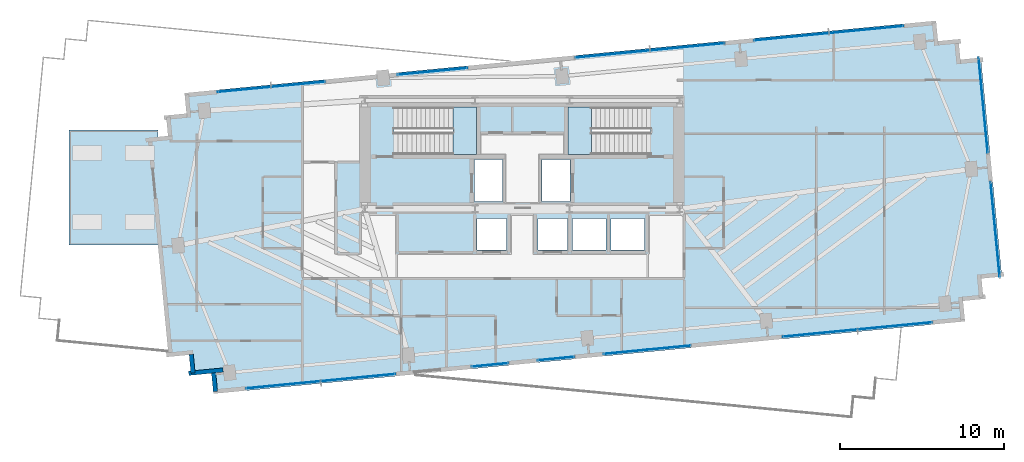
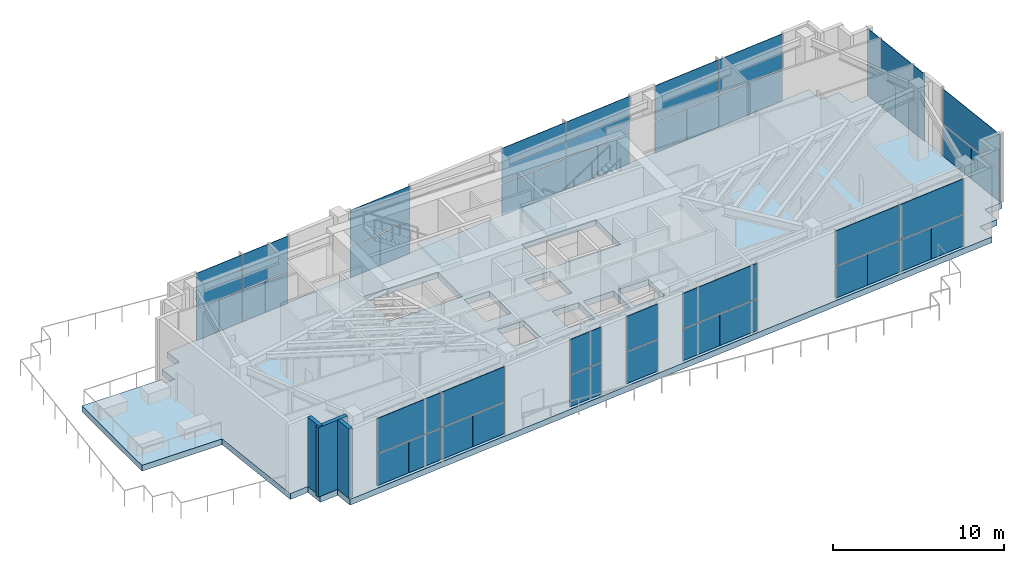
# One storey, part 13 of 21: 46 plates, 3 slabs, 3 walls, 13 elements without a shape of their own.
"""IFC4 building model written with IfcOpenShell, lengths in metres."""

from ifc_helpers import new_model, si_unit, direction, frame, frame_2d, origin, origin_2d, place, context, subcontext, project, spatial, polyline, rectangle, outline, extrude, source, transform, mapped, material, layer, layer_set, type_object, type_shapes, element, aggregate, save


model = new_model("IFC4")

# Units and contexts
model_context = context("Model", 3, precision=1e-05, world=origin(), true_north=direction((0.0, 1.0)))
body_context = subcontext(model_context, "Body", "Model", "MODEL_VIEW")
ifc_project = project(units=[si_unit("LENGTHUNIT", "METRE"), si_unit("AREAUNIT", "SQUARE_METRE"), si_unit("VOLUMEUNIT", "CUBIC_METRE"), si_unit("PLANEANGLEUNIT", "RADIAN"), si_unit("MASSUNIT", "GRAM", prefix="KILO")], contexts=[model_context])

# Site, building, storey
site_placement = place(None, origin())
site = spatial("IfcSite", under=ifc_project, at=site_placement, CompositionType="ELEMENT")
building_placement = place(site_placement, origin())
building = spatial("IfcBuilding", under=site, at=building_placement, Name="Astriad Promenade Condominiums", CompositionType="ELEMENT")
storey_placement = place(building_placement, frame((0.0, 0.0, 167.800048828125)))
storey = spatial("IfcBuildingStorey", under=building, at=storey_placement, Name="L48", CompositionType="ELEMENT", Elevation=167.800048828125)

# Slab
ifc_material_1 = material(Name="Concrete C60/75", Category="concrete")
ifc_layer_1 = layer(ifc_material_1, 0.419921875)
ifc_layer_set_1 = layer_set([ifc_layer_1], Name="Concrete C60/75")
slab_type_1 = type_object("IfcSlabType", Name="CONCRETE TRANSFER FLOOR SLAB 420", PredefinedType="FLOOR", material=ifc_layer_set_1)
slab_1_placement = place(storey_placement, frame((0.0, 0.0, -0.420166015625)))
element("IfcSlab", 1, at=slab_1_placement, inside=storey, type_object=slab_type_1, Name="Structural Floor Slab (L48)", PredefinedType="FLOOR", context=body_context, shape_type="SweptSolid", body=[
    extrude(outline(polyline([(13.800048828125, 21.785400390625), (13.800048828125, 22.199951171875), (8.39990234375, 22.199951171875), (8.39990234375, 15.199951171875), (13.800048828125, 15.199951171875), (13.800048828125, 15.236572265625), (14.459716796875, 8.38671875), (15.703857421875, 8.506591796875), (15.823486328125, 7.26220703125), (17.06787109375, 7.382080078125), (17.187744140625, 6.137939453125), (62.975830078125, 10.546875), (62.856201171875, 11.791015625), (64.100341796875, 11.910888671875), (63.98046875, 13.155029296875), (65.224853515625, 13.27490234375), (63.9404296875, 26.61328125), (62.6962890625, 26.493408203125), (62.576416015625, 27.73779296875), (61.33203125, 27.617919921875), (61.21240234375, 28.862060546875), (15.424072265625, 24.453125), (15.5439453125, 23.208984375), (14.2998046875, 23.089111328125), (14.41943359375, 21.844970703125), (13.800048828125, 21.785400390625)]), holes=[polyline([(28.175048828125, 20.699951171875), (33.175048828125, 20.699951171875), (33.175048828125, 23.60009765625), (28.175048828125, 23.60009765625), (28.175048828125, 20.699951171875)]), polyline([(38.824951171875, 20.699951171875), (43.824951171875, 20.699951171875), (43.824951171875, 23.60009765625), (38.824951171875, 23.60009765625), (38.824951171875, 20.699951171875)]), polyline([(33.10009765625, 17.85009765625), (34.800048828125, 17.85009765625), (34.800048828125, 20.39990234375), (33.10009765625, 20.39990234375), (33.10009765625, 17.85009765625)]), polyline([(37.199951171875, 17.85009765625), (38.89990234375, 17.85009765625), (38.89990234375, 20.39990234375), (37.199951171875, 20.39990234375), (37.199951171875, 17.85009765625)]), polyline([(33.25, 14.89990234375), (35.050048828125, 14.89990234375), (35.050048828125, 16.800048828125), (33.25, 16.800048828125), (33.25, 14.89990234375)]), polyline([(36.949951171875, 14.89990234375), (38.75, 14.89990234375), (38.75, 16.800048828125), (36.949951171875, 16.800048828125), (36.949951171875, 14.89990234375)]), polyline([(39.050048828125, 14.89990234375), (41.10009765625, 14.89990234375), (41.10009765625, 16.800048828125), (39.050048828125, 16.800048828125), (39.050048828125, 14.89990234375)]), polyline([(41.39990234375, 14.89990234375), (43.449951171875, 14.89990234375), (43.449951171875, 16.800048828125), (41.39990234375, 16.800048828125), (41.39990234375, 14.89990234375)])]), origin(), (0.0, 0.0, 1.0), 0.420166015625),
])

# Stair, slab
ifc_material_2 = material(Name="Concrete C50/60", Category="concrete")
stair_type = type_object("IfcStairType", Name="STR-CORE-1350", PredefinedType="HALF_TURN_STAIR", material=ifc_material_2)
stair_1_placement = place(storey_placement, origin())
stair_1 = element("IfcStair", 2, at=stair_1_placement, inside=storey, type_object=stair_type, Name="L48 Enclosed Core Exit Stair ST-1", PredefinedType="HALF_TURN_STAIR")
ifc_layer_2 = layer(ifc_material_2, 0.219970703125)
ifc_layer_set_2 = layer_set([ifc_layer_2], Name="Concrete C50/60")
slab_type_2 = type_object("IfcSlabType", Name="SLB-LANDING-220", PredefinedType="LANDING", material=ifc_layer_set_2)
slab_2_placement = place(storey_placement, frame((0.0, 0.0, 2.39990234375)))
slab_2 = element("IfcSlab", 3, at=slab_2_placement, type_object=slab_type_2, Name="ST-1 landing 1", PredefinedType="LANDING", context=body_context, shape_type="SweptSolid", body=[
    extrude(outline(polyline([(31.7900390625, 20.699951171875), (33.199951171875, 20.699951171875), (33.199951171875, 23.60009765625), (31.7900390625, 23.60009765625), (31.7900390625, 20.699951171875)])), origin(), (0.0, 0.0, 1.0), 0.199951171875),
])
aggregate(stair_1, [slab_2])

stair_2_placement = place(storey_placement, origin())
stair_2 = element("IfcStair", 4, at=stair_2_placement, inside=storey, type_object=stair_type, Name="L48 Enclosed Core Exit Stair ST-2", PredefinedType="HALF_TURN_STAIR")
slab_3_placement = place(storey_placement, frame((0.0, 0.0, 2.39990234375)))
slab_3 = element("IfcSlab", 5, at=slab_3_placement, type_object=slab_type_2, Name="ST-2 landing 1", PredefinedType="LANDING", context=body_context, shape_type="SweptSolid", body=[
    extrude(outline(polyline([(40.2099609375, 23.60009765625), (38.800048828125, 23.60009765625), (38.800048828125, 20.699951171875), (40.2099609375, 20.699951171875), (40.2099609375, 23.60009765625)])), origin(), (0.0, 0.0, 1.0), 0.199951171875),
])
aggregate(stair_2, [slab_3])

# Curtain wall, plates
ifc_material_3 = material(Name="Anodised aluminium Black Dark Glass Unitised", Category="aluminium")
curtain_wall_type = type_object("IfcCurtainWallType", Name="CW-B34-DARK", PredefinedType="USERDEFINED", material=ifc_material_3)
curtain_wall_1_placement = place(storey_placement, origin())
curtain_wall_1 = element("IfcCurtainWall", 6, at=curtain_wall_1_placement, inside=storey, type_object=curtain_wall_type, Name="CW-L48-N-1", ObjectType="UNITISED_CURTAIN_WALL", PredefinedType="USERDEFINED")
ifc_material_4 = material(Name="Dark Tinted Low-E Laminated Glass", Category="glass")
ifc_layer_3 = layer(ifc_material_4, 0.035888671875)
ifc_layer_set_3 = layer_set([ifc_layer_3], Name="Dark Tinted Low-E Laminated Glass")
plate_type = type_object("IfcPlateType", Name="PNL-DARK-GLASS-36", PredefinedType="CURTAIN_PANEL", material=ifc_layer_set_3)
shared_shape_1 = source(origin(), body_context, "Body", "SweptSolid", [
    extrude(rectangle(XDim=1.633056640625, YDim=0.035888671875, at=origin_2d()), origin(), (0.0, 0.0, 1.0), 2.22998046875),
])
plate_1_placement = place(storey_placement, frame((18.24609375, 24.59423828125, 0.080078125), z_axis=(0.0, 0.0, 1.0), x_axis=(0.995396198367, 0.09584575252, 0.0)))
plate_1 = element("IfcPlate", 7, at=plate_1_placement, type_object=plate_type, Name="CW-L48-N-1-PNL-00-VL", PredefinedType="CURTAIN_PANEL", context=body_context, shape_type="MappedRepresentation", body=[
    mapped(shared_shape_1, transform((0.0, 0.0, 0.0), scale=1.0)),
])
plate_2_placement = place(storey_placement, frame((19.883544921875, 24.751953125, 0.080078125), z_axis=(0.0, 0.0, 1.0), x_axis=(0.995396198367, 0.09584575252, 0.0)))
plate_2 = element("IfcPlate", 8, at=plate_2_placement, type_object=plate_type, Name="CW-L48-N-1-PNL-00-VR", PredefinedType="CURTAIN_PANEL", context=body_context, shape_type="MappedRepresentation", body=[
    mapped(shared_shape_1, transform((0.0, 0.0, 0.0), scale=1.0)),
])
plate_3_placement = place(storey_placement, frame((21.52099609375, 24.90966796875, 0.080078125), z_axis=(0.0, 0.0, 1.0), x_axis=(0.995396198367, 0.09584575252, 0.0)))
plate_3 = element("IfcPlate", 9, at=plate_3_placement, type_object=plate_type, Name="CW-L48-N-1-PNL-01-VL", PredefinedType="CURTAIN_PANEL", context=body_context, shape_type="MappedRepresentation", body=[
    mapped(shared_shape_1, transform((0.0, 0.0, 0.0), scale=1.0)),
])
plate_4_placement = place(storey_placement, frame((23.158447265625, 25.0673828125, 0.080078125), z_axis=(0.0, 0.0, 1.0), x_axis=(0.995396198367, 0.09584575252, 0.0)))
plate_4 = element("IfcPlate", 10, at=plate_4_placement, type_object=plate_type, Name="CW-L48-N-1-PNL-01-VR", PredefinedType="CURTAIN_PANEL", context=body_context, shape_type="MappedRepresentation", body=[
    mapped(shared_shape_1, transform((0.0, 0.0, 0.0), scale=1.0)),
])
shared_shape_2 = source(origin(), body_context, "Body", "SweptSolid", [
    extrude(rectangle(XDim=3.278076171875, YDim=0.035888671875, at=origin_2d()), origin(), (0.0, 0.0, 1.0), 2.469970703125),
])
plate_5_placement = place(storey_placement, frame((19.064697265625, 24.673095703125, 2.39013671875), z_axis=(0.0, 0.0, 1.0), x_axis=(0.995396198367, 0.09584575252, 0.0)))
plate_5 = element("IfcPlate", 11, at=plate_5_placement, type_object=plate_type, Name="CW-L48-N-1-PNL-00-S", PredefinedType="CURTAIN_PANEL", context=body_context, shape_type="MappedRepresentation", body=[
    mapped(shared_shape_2, transform((0.0, 0.0, 0.0), scale=1.0)),
])
plate_6_placement = place(storey_placement, frame((22.339599609375, 24.988525390625, 2.39013671875), z_axis=(0.0, 0.0, 1.0), x_axis=(0.995396198367, 0.09584575252, 0.0)))
plate_6 = element("IfcPlate", 12, at=plate_6_placement, type_object=plate_type, Name="CW-L48-N-1-PNL-01-S", PredefinedType="CURTAIN_PANEL", context=body_context, shape_type="MappedRepresentation", body=[
    mapped(shared_shape_2, transform((0.0, 0.0, 0.0), scale=1.0)),
])
aggregate(curtain_wall_1, [plate_1, plate_2, plate_5, plate_3, plate_4, plate_6])

curtain_wall_2_placement = place(storey_placement, origin())
curtain_wall_2 = element("IfcCurtainWall", 13, at=curtain_wall_2_placement, inside=storey, type_object=curtain_wall_type, Name="CW-L48-N-2", ObjectType="UNITISED_CURTAIN_WALL", PredefinedType="USERDEFINED")
shared_shape_3 = source(origin(), body_context, "Body", "SweptSolid", [
    extrude(rectangle(XDim=2.123046875, YDim=0.035888671875, at=origin_2d()), origin(), (0.0, 0.0, 1.0), 2.22998046875),
])
plate_7_placement = place(storey_placement, frame((29.479248046875, 25.67578125, 0.080078125), z_axis=(0.0, 0.0, 1.0), x_axis=(0.995394525392, 0.095863125447, 0.0)))
plate_7 = element("IfcPlate", 14, at=plate_7_placement, type_object=plate_type, Name="CW-L48-N-2-PNL-00-VL", PredefinedType="CURTAIN_PANEL", context=body_context, shape_type="MappedRepresentation", body=[
    mapped(shared_shape_3, transform((0.0, 0.0, 0.0), scale=1.0)),
])
plate_8_placement = place(storey_placement, frame((31.604248046875, 25.880615234375, 0.080078125), z_axis=(0.0, 0.0, 1.0), x_axis=(0.995394525392, 0.095863125447, 0.0)))
plate_8 = element("IfcPlate", 15, at=plate_8_placement, type_object=plate_type, Name="CW-L48-N-2-PNL-00-VR", PredefinedType="CURTAIN_PANEL", context=body_context, shape_type="MappedRepresentation", body=[
    mapped(shared_shape_3, transform((0.0, 0.0, 0.0), scale=1.0)),
])
shared_shape_4 = source(origin(), body_context, "Body", "SweptSolid", [
    extrude(rectangle(XDim=4.258056640625, YDim=0.035888671875, at=origin_2d()), origin(), (0.0, 0.0, 1.0), 2.469970703125),
])
plate_9_placement = place(storey_placement, frame((30.541748046875, 25.7783203125, 2.39013671875), z_axis=(0.0, 0.0, 1.0), x_axis=(0.995394525392, 0.095863125447, 0.0)))
plate_9 = element("IfcPlate", 16, at=plate_9_placement, type_object=plate_type, Name="CW-L48-N-2-PNL-00-S", PredefinedType="CURTAIN_PANEL", context=body_context, shape_type="MappedRepresentation", body=[
    mapped(shared_shape_4, transform((0.0, 0.0, 0.0), scale=1.0)),
])
aggregate(curtain_wall_2, [plate_7, plate_8, plate_9])

curtain_wall_3_placement = place(storey_placement, origin())
curtain_wall_3 = element("IfcCurtainWall", 17, at=curtain_wall_3_placement, inside=storey, type_object=curtain_wall_type, Name="CW-L48-N-3", ObjectType="UNITISED_CURTAIN_WALL", PredefinedType="USERDEFINED")
shared_shape_5 = source(origin(), body_context, "Body", "SweptSolid", [
    extrude(rectangle(XDim=2.275390625, YDim=0.035888671875, at=origin_2d()), origin(), (0.0, 0.0, 1.0), 2.22998046875),
])
plate_10_placement = place(storey_placement, frame((40.364990234375, 26.72412109375, 0.080078125), z_axis=(0.0, 0.0, 1.0), x_axis=(0.995396198367, 0.09584575252, 0.0)))
plate_10 = element("IfcPlate", 18, at=plate_10_placement, type_object=plate_type, Name="CW-L48-N-3-PNL-00-VL", PredefinedType="CURTAIN_PANEL", context=body_context, shape_type="MappedRepresentation", body=[
    mapped(shared_shape_5, transform((0.0, 0.0, 0.0), scale=1.0)),
])
plate_11_placement = place(storey_placement, frame((42.64208984375, 26.943359375, 0.080078125), z_axis=(0.0, 0.0, 1.0), x_axis=(0.995396198367, 0.09584575252, 0.0)))
plate_11 = element("IfcPlate", 19, at=plate_11_placement, type_object=plate_type, Name="CW-L48-N-3-PNL-00-VR", PredefinedType="CURTAIN_PANEL", context=body_context, shape_type="MappedRepresentation", body=[
    mapped(shared_shape_5, transform((0.0, 0.0, 0.0), scale=1.0)),
])
plate_12_placement = place(storey_placement, frame((44.9189453125, 27.16259765625, 0.080078125), z_axis=(0.0, 0.0, 1.0), x_axis=(0.995396198367, 0.09584575252, 0.0)))
plate_12 = element("IfcPlate", 20, at=plate_12_placement, type_object=plate_type, Name="CW-L48-N-3-PNL-01-VL", PredefinedType="CURTAIN_PANEL", context=body_context, shape_type="MappedRepresentation", body=[
    mapped(shared_shape_5, transform((0.0, 0.0, 0.0), scale=1.0)),
])
plate_13_placement = place(storey_placement, frame((47.19580078125, 27.3818359375, 0.080078125), z_axis=(0.0, 0.0, 1.0), x_axis=(0.995396198367, 0.09584575252, 0.0)))
plate_13 = element("IfcPlate", 21, at=plate_13_placement, type_object=plate_type, Name="CW-L48-N-3-PNL-01-VR", PredefinedType="CURTAIN_PANEL", context=body_context, shape_type="MappedRepresentation", body=[
    mapped(shared_shape_5, transform((0.0, 0.0, 0.0), scale=1.0)),
])

curtain_wall_4_placement = place(storey_placement, origin())
curtain_wall_4 = element("IfcCurtainWall", 22, at=curtain_wall_4_placement, inside=storey, type_object=curtain_wall_type, Name="CW-L48-N-4", ObjectType="UNITISED_CURTAIN_WALL", PredefinedType="USERDEFINED")
plate_14_placement = place(storey_placement, frame((51.2646484375, 27.773681640625, 0.080078125), z_axis=(0.0, 0.0, 1.0), x_axis=(0.995396198367, 0.09584575252, 0.0)))
plate_14 = element("IfcPlate", 23, at=plate_14_placement, type_object=plate_type, Name="CW-L48-N-4-PNL-00-VL", PredefinedType="CURTAIN_PANEL", context=body_context, shape_type="MappedRepresentation", body=[
    mapped(shared_shape_5, transform((0.0, 0.0, 0.0), scale=1.0)),
])
plate_15_placement = place(storey_placement, frame((53.54150390625, 27.992919921875, 0.080078125), z_axis=(0.0, 0.0, 1.0), x_axis=(0.995396198367, 0.09584575252, 0.0)))
plate_15 = element("IfcPlate", 24, at=plate_15_placement, type_object=plate_type, Name="CW-L48-N-4-PNL-00-VR", PredefinedType="CURTAIN_PANEL", context=body_context, shape_type="MappedRepresentation", body=[
    mapped(shared_shape_5, transform((0.0, 0.0, 0.0), scale=1.0)),
])
plate_16_placement = place(storey_placement, frame((55.818603515625, 28.212158203125, 0.080078125), z_axis=(0.0, 0.0, 1.0), x_axis=(0.995396198367, 0.09584575252, 0.0)))
plate_16 = element("IfcPlate", 25, at=plate_16_placement, type_object=plate_type, Name="CW-L48-N-4-PNL-01-VL", PredefinedType="CURTAIN_PANEL", context=body_context, shape_type="MappedRepresentation", body=[
    mapped(shared_shape_5, transform((0.0, 0.0, 0.0), scale=1.0)),
])
plate_17_placement = place(storey_placement, frame((58.095458984375, 28.431396484375, 0.080078125), z_axis=(0.0, 0.0, 1.0), x_axis=(0.995396198367, 0.09584575252, 0.0)))
plate_17 = element("IfcPlate", 26, at=plate_17_placement, type_object=plate_type, Name="CW-L48-N-4-PNL-01-VR", PredefinedType="CURTAIN_PANEL", context=body_context, shape_type="MappedRepresentation", body=[
    mapped(shared_shape_5, transform((0.0, 0.0, 0.0), scale=1.0)),
])

curtain_wall_5_placement = place(storey_placement, origin())
curtain_wall_5 = element("IfcCurtainWall", 27, at=curtain_wall_5_placement, inside=storey, type_object=curtain_wall_type, Name="CW-L48-S-1", ObjectType="UNITISED_CURTAIN_WALL", PredefinedType="USERDEFINED")
plate_18_placement = place(storey_placement, frame((59.833984375, 10.375, 0.080078125), z_axis=(0.0, 0.0, 1.0), x_axis=(-0.995396198367, -0.09584575252, 0.0)))
plate_18 = element("IfcPlate", 28, at=plate_18_placement, type_object=plate_type, Name="CW-L48-S-1-PNL-00-VL", PredefinedType="CURTAIN_PANEL", context=body_context, shape_type="MappedRepresentation", body=[
    mapped(shared_shape_5, transform((0.0, 0.0, 0.0), scale=1.0)),
])
plate_19_placement = place(storey_placement, frame((57.55712890625, 10.155517578125, 0.080078125), z_axis=(0.0, 0.0, 1.0), x_axis=(-0.995396198367, -0.09584575252, 0.0)))
plate_19 = element("IfcPlate", 29, at=plate_19_placement, type_object=plate_type, Name="CW-L48-S-1-PNL-00-VR", PredefinedType="CURTAIN_PANEL", context=body_context, shape_type="MappedRepresentation", body=[
    mapped(shared_shape_5, transform((0.0, 0.0, 0.0), scale=1.0)),
])
plate_20_placement = place(storey_placement, frame((55.280029296875, 9.936279296875, 0.080078125), z_axis=(0.0, 0.0, 1.0), x_axis=(-0.995396198367, -0.09584575252, 0.0)))
plate_20 = element("IfcPlate", 30, at=plate_20_placement, type_object=plate_type, Name="CW-L48-S-1-PNL-01-VL", PredefinedType="CURTAIN_PANEL", context=body_context, shape_type="MappedRepresentation", body=[
    mapped(shared_shape_5, transform((0.0, 0.0, 0.0), scale=1.0)),
])
plate_21_placement = place(storey_placement, frame((53.003173828125, 9.717041015625, 0.080078125), z_axis=(0.0, 0.0, 1.0), x_axis=(-0.995396198367, -0.09584575252, 0.0)))
plate_21 = element("IfcPlate", 31, at=plate_21_placement, type_object=plate_type, Name="CW-L48-S-1-PNL-01-VR", PredefinedType="CURTAIN_PANEL", context=body_context, shape_type="MappedRepresentation", body=[
    mapped(shared_shape_5, transform((0.0, 0.0, 0.0), scale=1.0)),
])

curtain_wall_6_placement = place(storey_placement, origin())
curtain_wall_6 = element("IfcCurtainWall", 32, at=curtain_wall_6_placement, inside=storey, type_object=curtain_wall_type, Name="CW-L48-S-5", ObjectType="UNITISED_CURTAIN_WALL", PredefinedType="USERDEFINED")
plate_22_placement = place(storey_placement, frame((27.13525390625, 7.226318359375, 0.080078125), z_axis=(0.0, 0.0, 1.0), x_axis=(-0.995396198367, -0.09584575252, 0.0)))
plate_22 = element("IfcPlate", 33, at=plate_22_placement, type_object=plate_type, Name="CW-L48-S-5-PNL-00-VL", PredefinedType="CURTAIN_PANEL", context=body_context, shape_type="MappedRepresentation", body=[
    mapped(shared_shape_5, transform((0.0, 0.0, 0.0), scale=1.0)),
])
plate_23_placement = place(storey_placement, frame((24.8583984375, 7.007080078125, 0.080078125), z_axis=(0.0, 0.0, 1.0), x_axis=(-0.995396198367, -0.09584575252, 0.0)))
plate_23 = element("IfcPlate", 34, at=plate_23_placement, type_object=plate_type, Name="CW-L48-S-5-PNL-00-VR", PredefinedType="CURTAIN_PANEL", context=body_context, shape_type="MappedRepresentation", body=[
    mapped(shared_shape_5, transform((0.0, 0.0, 0.0), scale=1.0)),
])
plate_24_placement = place(storey_placement, frame((22.581298828125, 6.787841796875, 0.080078125), z_axis=(0.0, 0.0, 1.0), x_axis=(-0.995396198367, -0.09584575252, 0.0)))
plate_24 = element("IfcPlate", 35, at=plate_24_placement, type_object=plate_type, Name="CW-L48-S-5-PNL-01-VL", PredefinedType="CURTAIN_PANEL", context=body_context, shape_type="MappedRepresentation", body=[
    mapped(shared_shape_5, transform((0.0, 0.0, 0.0), scale=1.0)),
])
plate_25_placement = place(storey_placement, frame((20.304443359375, 6.568603515625, 0.080078125), z_axis=(0.0, 0.0, 1.0), x_axis=(-0.995396198367, -0.09584575252, 0.0)))
plate_25 = element("IfcPlate", 36, at=plate_25_placement, type_object=plate_type, Name="CW-L48-S-5-PNL-01-VR", PredefinedType="CURTAIN_PANEL", context=body_context, shape_type="MappedRepresentation", body=[
    mapped(shared_shape_5, transform((0.0, 0.0, 0.0), scale=1.0)),
])

# Plate
shared_shape_6 = source(origin(), body_context, "Body", "SweptSolid", [
    extrude(rectangle(XDim=4.56298828125, YDim=0.035888671875, at=origin_2d()), origin(), (0.0, 0.0, 1.0), 2.469970703125),
])
plate_26_placement = place(storey_placement, frame((41.503662109375, 26.833740234375, 2.39013671875), z_axis=(0.0, 0.0, 1.0), x_axis=(0.995396198367, 0.09584575252, 0.0)))
plate_26 = element("IfcPlate", 37, at=plate_26_placement, type_object=plate_type, Name="CW-L48-N-3-PNL-00-S", PredefinedType="CURTAIN_PANEL", context=body_context, shape_type="MappedRepresentation", body=[
    mapped(shared_shape_6, transform((0.0, 0.0, 0.0), scale=1.0)),
])

plate_27_placement = place(storey_placement, frame((46.0576171875, 27.272216796875, 2.39013671875), z_axis=(0.0, 0.0, 1.0), x_axis=(0.995396198367, 0.09584575252, 0.0)))
plate_27 = element("IfcPlate", 38, at=plate_27_placement, type_object=plate_type, Name="CW-L48-N-3-PNL-01-S", PredefinedType="CURTAIN_PANEL", context=body_context, shape_type="MappedRepresentation", body=[
    mapped(shared_shape_6, transform((0.0, 0.0, 0.0), scale=1.0)),
])

aggregate(curtain_wall_3, [plate_10, plate_11, plate_26, plate_12, plate_13, plate_27])

plate_28_placement = place(storey_placement, frame((52.403076171875, 27.88330078125, 2.39013671875), z_axis=(0.0, 0.0, 1.0), x_axis=(0.995396198367, 0.09584575252, 0.0)))
plate_28 = element("IfcPlate", 39, at=plate_28_placement, type_object=plate_type, Name="CW-L48-N-4-PNL-00-S", PredefinedType="CURTAIN_PANEL", context=body_context, shape_type="MappedRepresentation", body=[
    mapped(shared_shape_6, transform((0.0, 0.0, 0.0), scale=1.0)),
])

plate_29_placement = place(storey_placement, frame((56.95703125, 28.32177734375, 2.39013671875), z_axis=(0.0, 0.0, 1.0), x_axis=(0.995396198367, 0.09584575252, 0.0)))
plate_29 = element("IfcPlate", 40, at=plate_29_placement, type_object=plate_type, Name="CW-L48-N-4-PNL-01-S", PredefinedType="CURTAIN_PANEL", context=body_context, shape_type="MappedRepresentation", body=[
    mapped(shared_shape_6, transform((0.0, 0.0, 0.0), scale=1.0)),
])

aggregate(curtain_wall_4, [plate_14, plate_15, plate_28, plate_16, plate_17, plate_29])

plate_30_placement = place(storey_placement, frame((58.695556640625, 10.26513671875, 2.39013671875), z_axis=(0.0, 0.0, 1.0), x_axis=(-0.995396198367, -0.09584575252, 0.0)))
plate_30 = element("IfcPlate", 41, at=plate_30_placement, type_object=plate_type, Name="CW-L48-S-1-PNL-00-S", PredefinedType="CURTAIN_PANEL", context=body_context, shape_type="MappedRepresentation", body=[
    mapped(shared_shape_6, transform((0.0, 0.0, 0.0), scale=1.0)),
])

plate_31_placement = place(storey_placement, frame((54.1416015625, 9.826904296875, 2.39013671875), z_axis=(0.0, 0.0, 1.0), x_axis=(-0.995396198367, -0.09584575252, 0.0)))
plate_31 = element("IfcPlate", 42, at=plate_31_placement, type_object=plate_type, Name="CW-L48-S-1-PNL-01-S", PredefinedType="CURTAIN_PANEL", context=body_context, shape_type="MappedRepresentation", body=[
    mapped(shared_shape_6, transform((0.0, 0.0, 0.0), scale=1.0)),
])

aggregate(curtain_wall_5, [plate_18, plate_19, plate_30, plate_20, plate_21, plate_31])

plate_32_placement = place(storey_placement, frame((25.996826171875, 7.11669921875, 2.39013671875), z_axis=(0.0, 0.0, 1.0), x_axis=(-0.995396198367, -0.09584575252, 0.0)))
plate_32 = element("IfcPlate", 43, at=plate_32_placement, type_object=plate_type, Name="CW-L48-S-5-PNL-00-S", PredefinedType="CURTAIN_PANEL", context=body_context, shape_type="MappedRepresentation", body=[
    mapped(shared_shape_6, transform((0.0, 0.0, 0.0), scale=1.0)),
])

plate_33_placement = place(storey_placement, frame((21.44287109375, 6.67822265625, 2.39013671875), z_axis=(0.0, 0.0, 1.0), x_axis=(-0.995396198367, -0.09584575252, 0.0)))
plate_33 = element("IfcPlate", 44, at=plate_33_placement, type_object=plate_type, Name="CW-L48-S-5-PNL-01-S", PredefinedType="CURTAIN_PANEL", context=body_context, shape_type="MappedRepresentation", body=[
    mapped(shared_shape_6, transform((0.0, 0.0, 0.0), scale=1.0)),
])

aggregate(curtain_wall_6, [plate_22, plate_23, plate_32, plate_24, plate_25, plate_33])

# Curtain wall, plates
curtain_wall_7_placement = place(storey_placement, origin())
curtain_wall_7 = element("IfcCurtainWall", 45, at=curtain_wall_7_placement, inside=storey, type_object=curtain_wall_type, Name="CW-L48-E-1", ObjectType="UNITISED_CURTAIN_WALL", PredefinedType="USERDEFINED")
shared_shape_7 = source(origin(), body_context, "Body", "SweptSolid", [
    extrude(rectangle(XDim=2.887939453125, YDim=0.035888671875, at=origin_2d()), origin(), (0.0, 0.0, 1.0), 2.22998046875),
])
plate_34_placement = place(storey_placement, frame((63.949951171875, 25.157470703125, 0.080078125), z_axis=(0.0, 0.0, 1.0), x_axis=(0.09584575252, -0.995396198367, 0.0)))
plate_34 = element("IfcPlate", 46, at=plate_34_placement, type_object=plate_type, Name="CW-L48-E-1-PNL-00-VL", PredefinedType="CURTAIN_PANEL", context=body_context, shape_type="MappedRepresentation", body=[
    mapped(shared_shape_7, transform((0.0, 0.0, 0.0), scale=1.0)),
])
plate_35_placement = place(storey_placement, frame((64.227783203125, 22.270751953125, 0.080078125), z_axis=(0.0, 0.0, 1.0), x_axis=(0.09584575252, -0.995396198367, 0.0)))
plate_35 = element("IfcPlate", 47, at=plate_35_placement, type_object=plate_type, Name="CW-L48-E-1-PNL-00-VR", PredefinedType="CURTAIN_PANEL", context=body_context, shape_type="MappedRepresentation", body=[
    mapped(shared_shape_7, transform((0.0, 0.0, 0.0), scale=1.0)),
])

curtain_wall_8_placement = place(storey_placement, origin())
curtain_wall_8 = element("IfcCurtainWall", 48, at=curtain_wall_8_placement, inside=storey, type_object=curtain_wall_type, Name="CW-L48-E-2", ObjectType="UNITISED_CURTAIN_WALL", PredefinedType="USERDEFINED")
plate_36_placement = place(storey_placement, frame((64.678466796875, 17.59228515625, 0.080078125), z_axis=(0.0, 0.0, 1.0), x_axis=(0.09584575252, -0.995396198367, 0.0)))
plate_36 = element("IfcPlate", 49, at=plate_36_placement, type_object=plate_type, Name="CW-L48-E-2-PNL-00-VL", PredefinedType="CURTAIN_PANEL", context=body_context, shape_type="MappedRepresentation", body=[
    mapped(shared_shape_7, transform((0.0, 0.0, 0.0), scale=1.0)),
])
plate_37_placement = place(storey_placement, frame((64.956298828125, 14.705810546875, 0.080078125), z_axis=(0.0, 0.0, 1.0), x_axis=(0.09584575252, -0.995396198367, 0.0)))
plate_37 = element("IfcPlate", 50, at=plate_37_placement, type_object=plate_type, Name="CW-L48-E-2-PNL-00-VR", PredefinedType="CURTAIN_PANEL", context=body_context, shape_type="MappedRepresentation", body=[
    mapped(shared_shape_7, transform((0.0, 0.0, 0.0), scale=1.0)),
])

# Plate
shared_shape_8 = source(origin(), body_context, "Body", "SweptSolid", [
    extrude(rectangle(XDim=5.7880859375, YDim=0.035888671875, at=origin_2d()), origin(), (0.0, 0.0, 1.0), 2.469970703125),
])
plate_38_placement = place(storey_placement, frame((64.0888671875, 23.714111328125, 2.39013671875), z_axis=(0.0, 0.0, 1.0), x_axis=(0.09584575252, -0.995396198367, 0.0)))
plate_38 = element("IfcPlate", 51, at=plate_38_placement, type_object=plate_type, Name="CW-L48-E-1-PNL-00-S", PredefinedType="CURTAIN_PANEL", context=body_context, shape_type="MappedRepresentation", body=[
    mapped(shared_shape_8, transform((0.0, 0.0, 0.0), scale=1.0)),
])

aggregate(curtain_wall_7, [plate_34, plate_35, plate_38])

plate_39_placement = place(storey_placement, frame((64.8173828125, 16.14892578125, 2.39013671875), z_axis=(0.0, 0.0, 1.0), x_axis=(0.09584575252, -0.995396198367, 0.0)))
plate_39 = element("IfcPlate", 52, at=plate_39_placement, type_object=plate_type, Name="CW-L48-E-2-PNL-00-S", PredefinedType="CURTAIN_PANEL", context=body_context, shape_type="MappedRepresentation", body=[
    mapped(shared_shape_8, transform((0.0, 0.0, 0.0), scale=1.0)),
])

aggregate(curtain_wall_8, [plate_36, plate_37, plate_39])

# Curtain wall, plates
curtain_wall_9_placement = place(storey_placement, origin())
curtain_wall_9 = element("IfcCurtainWall", 53, at=curtain_wall_9_placement, inside=storey, type_object=curtain_wall_type, Name="CW-L48-S-2", ObjectType="UNITISED_CURTAIN_WALL", PredefinedType="USERDEFINED")
shared_shape_9 = source(origin(), body_context, "Body", "SweptSolid", [
    extrude(rectangle(XDim=2.653076171875, YDim=0.035888671875, at=origin_2d()), origin(), (0.0, 0.0, 1.0), 2.22998046875),
])
plate_40_placement = place(storey_placement, frame((44.944091796875, 8.941162109375, 0.080078125), z_axis=(0.0, 0.0, 1.0), x_axis=(-0.995396198367, -0.09584575252, 0.0)))
plate_40 = element("IfcPlate", 54, at=plate_40_placement, type_object=plate_type, Name="CW-L48-S-2-PNL-00-VL", PredefinedType="CURTAIN_PANEL", context=body_context, shape_type="MappedRepresentation", body=[
    mapped(shared_shape_9, transform((0.0, 0.0, 0.0), scale=1.0)),
])
plate_41_placement = place(storey_placement, frame((42.29150390625, 8.685791015625, 0.080078125), z_axis=(0.0, 0.0, 1.0), x_axis=(-0.995396198367, -0.09584575252, 0.0)))
plate_41 = element("IfcPlate", 55, at=plate_41_placement, type_object=plate_type, Name="CW-L48-S-2-PNL-00-VR", PredefinedType="CURTAIN_PANEL", context=body_context, shape_type="MappedRepresentation", body=[
    mapped(shared_shape_9, transform((0.0, 0.0, 0.0), scale=1.0)),
])
shared_shape_10 = source(origin(), body_context, "Body", "SweptSolid", [
    extrude(rectangle(XDim=5.318115234375, YDim=0.035888671875, at=origin_2d()), origin(), (0.0, 0.0, 1.0), 2.469970703125),
])
plate_42_placement = place(storey_placement, frame((43.617919921875, 8.8134765625, 2.39013671875), z_axis=(0.0, 0.0, 1.0), x_axis=(-0.995396198367, -0.09584575252, 0.0)))
plate_42 = element("IfcPlate", 56, at=plate_42_placement, type_object=plate_type, Name="CW-L48-S-2-PNL-00-S", PredefinedType="CURTAIN_PANEL", context=body_context, shape_type="MappedRepresentation", body=[
    mapped(shared_shape_10, transform((0.0, 0.0, 0.0), scale=1.0)),
])
aggregate(curtain_wall_9, [plate_40, plate_41, plate_42])

# Curtain wall, plate
curtain_wall_10_placement = place(storey_placement, origin())
curtain_wall_10 = element("IfcCurtainWall", 57, at=curtain_wall_10_placement, inside=storey, type_object=curtain_wall_type, Name="CW-L48-S-3", ObjectType="UNITISED_CURTAIN_WALL", PredefinedType="USERDEFINED")
shared_shape_11 = source(origin(), body_context, "Body", "SweptSolid", [
    extrude(rectangle(XDim=2.22802734375, YDim=0.035888671875, at=origin_2d()), origin(), (0.0, 0.0, 1.0), 2.22998046875),
])
plate_43_placement = place(storey_placement, frame((38.05859375, 8.2783203125, 0.080078125), z_axis=(0.0, 0.0, 1.0), x_axis=(-0.995396198367, -0.09584575252, 0.0)))
plate_43 = element("IfcPlate", 58, at=plate_43_placement, type_object=plate_type, Name="CW-L48-S-3-PNL-00-V", PredefinedType="CURTAIN_PANEL", context=body_context, shape_type="MappedRepresentation", body=[
    mapped(shared_shape_11, transform((0.0, 0.0, 0.0), scale=1.0)),
])

curtain_wall_11_placement = place(storey_placement, origin())
curtain_wall_11 = element("IfcCurtainWall", 59, at=curtain_wall_11_placement, inside=storey, type_object=curtain_wall_type, Name="CW-L48-S-4", ObjectType="UNITISED_CURTAIN_WALL", PredefinedType="USERDEFINED")
plate_44_placement = place(storey_placement, frame((34.037109375, 7.89111328125, 0.080078125), z_axis=(0.0, 0.0, 1.0), x_axis=(-0.995396198367, -0.09584575252, 0.0)))
plate_44 = element("IfcPlate", 60, at=plate_44_placement, type_object=plate_type, Name="CW-L48-S-4-PNL-00-V", PredefinedType="CURTAIN_PANEL", context=body_context, shape_type="MappedRepresentation", body=[
    mapped(shared_shape_11, transform((0.0, 0.0, 0.0), scale=1.0)),
])

# Plate
shared_shape_12 = source(origin(), body_context, "Body", "SweptSolid", [
    extrude(rectangle(XDim=2.22802734375, YDim=0.035888671875, at=origin_2d()), origin(), (0.0, 0.0, 1.0), 2.469970703125),
])
type_shapes(plate_type, [shared_shape_1, shared_shape_2, shared_shape_3, shared_shape_4, shared_shape_5, shared_shape_6, shared_shape_7, shared_shape_8, shared_shape_9, shared_shape_10, shared_shape_11, shared_shape_12])
plate_45_placement = place(storey_placement, frame((38.05859375, 8.2783203125, 2.39013671875), z_axis=(0.0, 0.0, 1.0), x_axis=(-0.995396198367, -0.09584575252, 0.0)))
plate_45 = element("IfcPlate", 61, at=plate_45_placement, type_object=plate_type, Name="CW-L48-S-3-PNL-00-S", PredefinedType="CURTAIN_PANEL", context=body_context, shape_type="MappedRepresentation", body=[
    mapped(shared_shape_12, transform((0.0, 0.0, 0.0), scale=1.0)),
])

aggregate(curtain_wall_10, [plate_43, plate_45])

plate_46_placement = place(storey_placement, frame((34.037109375, 7.89111328125, 2.39013671875), z_axis=(0.0, 0.0, 1.0), x_axis=(-0.995396198367, -0.09584575252, 0.0)))
plate_46 = element("IfcPlate", 62, at=plate_46_placement, type_object=plate_type, Name="CW-L48-S-4-PNL-00-S", PredefinedType="CURTAIN_PANEL", context=body_context, shape_type="MappedRepresentation", body=[
    mapped(shared_shape_12, transform((0.0, 0.0, 0.0), scale=1.0)),
])

aggregate(curtain_wall_11, [plate_44, plate_46])

# Walls
ifc_material_5 = material(Name="Precast concrete C50/60", Category="concrete")
ifc_layer_4 = layer(ifc_material_5, 0.260009765625)
ifc_layer_set_4 = layer_set([ifc_layer_4], Name="Precast concrete C50/60")
wall_type = type_object("IfcWallType", Name="WALL-EXT-TWR-260", PredefinedType="STANDARD", material=ifc_layer_set_4)
wall_placement = place(storey_placement, frame((17.775146484375, 7.580810546875, 0.0), z_axis=(0.0, 0.0, 1.0), x_axis=(-0.995392638166, -0.095882719431, 0.0)))
element("IfcWall", 63, at=wall_placement, inside=storey, type_object=wall_type, Name="W-SER-L48-00", PredefinedType="STANDARD", context=body_context, shape_type="SweptSolid", body=[
    extrude(rectangle(XDim=2.103271484375, YDim=0.260009765625, at=frame_2d((1.0517578125, 0.0))), origin(), (0.0, 0.0, 1.0), 4.93994140625),
])
for number, where, z_axis, x_axis, name in (
    (64, (15.94189453125, 7.389404296875, 0.0), (0.0, 0.0, 1.0), (-0.09576095695, 0.995404359607, 0.0), "W-SER-L48-01"),
    (65, (17.30615234375, 6.264892578125, 0.0), (0.0, 0.0, 1.0), (-0.095971333708, 0.995384098279, 0.0), "W-SER-L48-19"),
):
    element("IfcWall", number, at=place(storey_placement, frame(where, z_axis=z_axis, x_axis=x_axis)), inside=storey, type_object=wall_type, Name=name, PredefinedType="STANDARD", context=body_context, shape_type="SweptSolid", body=[
        extrude(rectangle(XDim=1.14990234375, YDim=0.260009765625, at=frame_2d((0.574951171875, 0.0))), origin(), (0.0, 0.0, 1.0), 4.93994140625),
    ])

save(model, "model.ifc")
